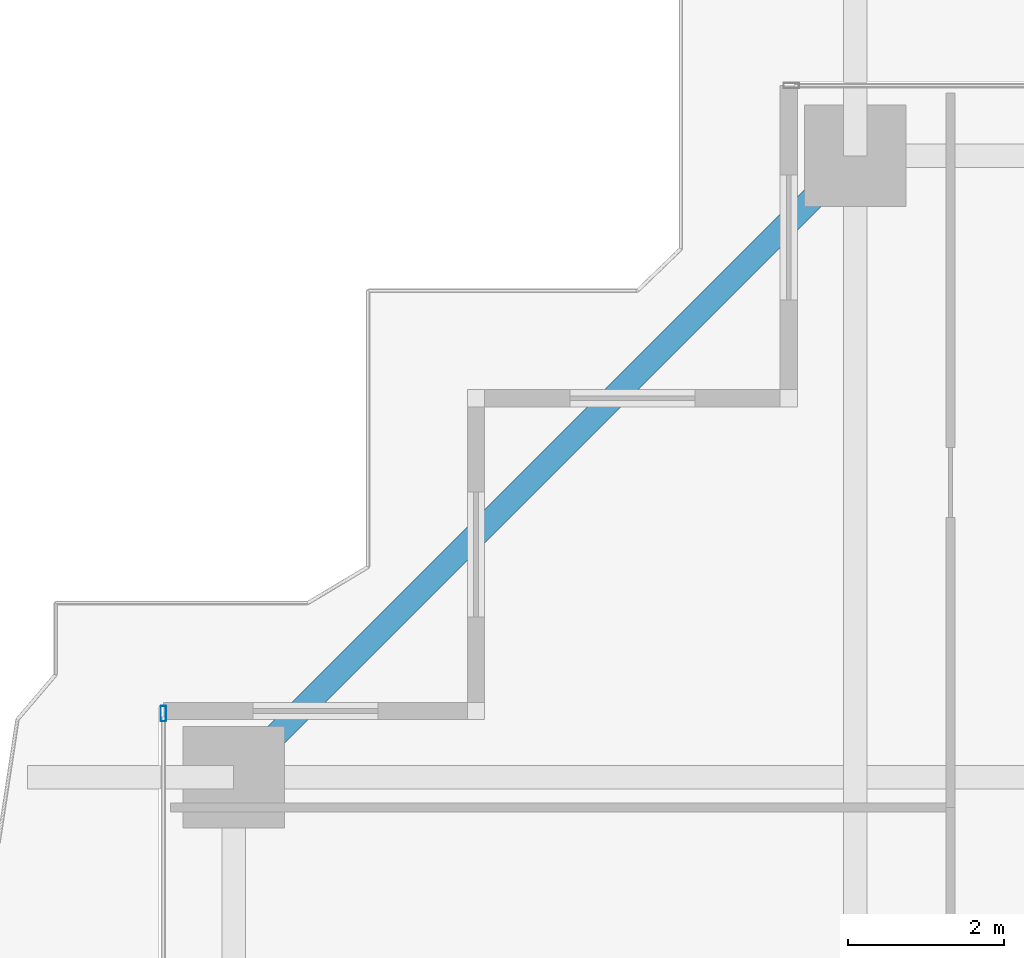
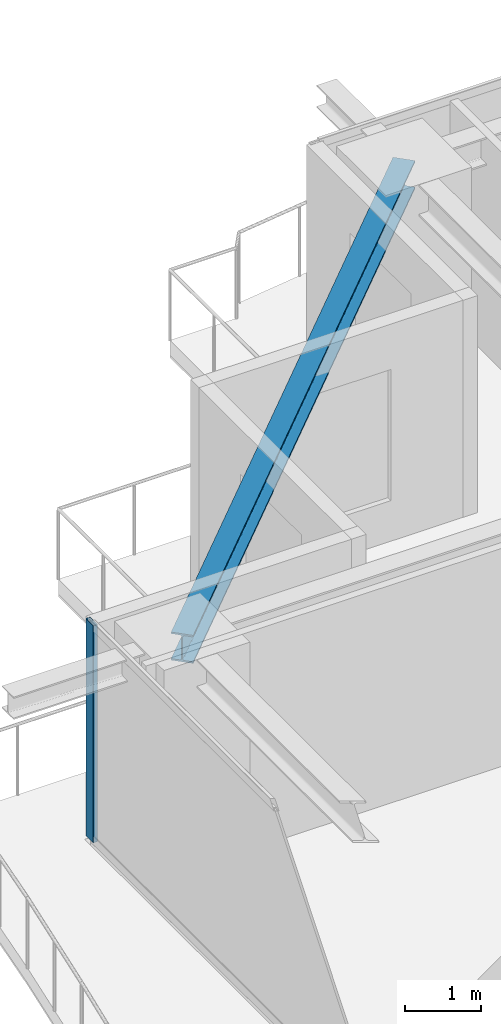
# One storey, part 19 of 38: 1 beam, 1 member, 1 element without a shape of its own.
"""IFC4 building model written with IfcOpenShell, lengths in metres."""

import ifcopenshell
import ifcopenshell.guid

model = None  # the IFC model being written
_history = None  # IfcOwnerHistory: only IFC2X3 demands one
_inside = {}  # id of a spatial element -> (the spatial element, [elements in it])
_under = {}  # id of a project, library or spatial element -> (it, [spatial elements below it])
_declared = {}  # id of a project -> (the project, [libraries it declares])
_typed = {}  # id of a type object -> (the type object, [elements of that type])
_made_of = {}  # id of a material, layer set ... -> (it, [elements and type objects made of it])


def new_model(schema):
    """Start an empty IFC model of exactly this schema.

    Asked for "IFC4X3", IfcOpenShell would pick the latest addendum, in which some entities
    have other attributes; the version numbers below select the first issue.
    IFC2X3 requires an IfcOwnerHistory on every rooted entity: one is made here for all.
    """
    global model, _history
    if schema == "IFC4X3":
        model = ifcopenshell.file(schema_version=(4, 3, 0, 0))
    else:
        model = ifcopenshell.file(schema=schema)
    _inside.clear()
    _under.clear()
    _declared.clear()
    _typed.clear()
    _made_of.clear()
    _history = None
    if model.schema == "IFC2X3":
        org = make("IfcOrganization", Name="unknown")
        user = make(
            "IfcPersonAndOrganization",
            ThePerson=make("IfcPerson", FamilyName="unknown"),
            TheOrganization=org,
        )
        app = make(
            "IfcApplication",
            ApplicationDeveloper=org,
            Version="unknown",
            ApplicationFullName="unknown",
            ApplicationIdentifier="unknown",
        )
        _history = make(
            "IfcOwnerHistory",
            OwningUser=user,
            OwningApplication=app,
            ChangeAction="ADDED",
            CreationDate=0,
        )
    return model


def make(cls, **values):
    """One entity of the class cls with the attributes given. An attribute that is None is left unset."""
    return model.create_entity(
        cls, **{name: value for name, value in values.items() if value is not None}
    )


def rooted(cls, **values):
    """An entity with a GlobalId (a new one), such as an element, a storey or a relation."""
    return make(cls, GlobalId=ifcopenshell.guid.new(), OwnerHistory=_history, **values)


def si_unit(unit_type, name, prefix=None):
    """IfcSIUnit, for example si_unit("LENGTHUNIT", "METRE", prefix="MILLI")."""
    return make("IfcSIUnit", UnitType=unit_type, Prefix=prefix, Name=name)


def assignment(units):
    """IfcUnitAssignment: the units of a project."""
    return None if units is None else make("IfcUnitAssignment", Units=units)


def point(xyz):
    """IfcCartesianPoint."""
    return None if xyz is None else make("IfcCartesianPoint", Coordinates=xyz)


def direction(xyz):
    """IfcDirection."""
    return None if xyz is None else make("IfcDirection", DirectionRatios=xyz)


def frame(location, z_axis=None, x_axis=None):
    """IfcAxis2Placement3D, a coordinate frame: its origin and axes. An axis left out is left unset."""
    return make(
        "IfcAxis2Placement3D",
        Location=point(location),
        Axis=direction(z_axis),
        RefDirection=direction(x_axis),
    )


def frame_2d(location, x_axis=None):
    """IfcAxis2Placement2D, a coordinate frame in the plane: its origin and x axis."""
    return make(
        "IfcAxis2Placement2D", Location=point(location), RefDirection=direction(x_axis)
    )


def origin():
    """The frame at (0, 0, 0) with its axes left unset."""
    return frame((0.0, 0.0, 0.0))


def origin_2d():
    """The frame at (0, 0) in the plane with its x axis left unset."""
    return frame_2d((0.0, 0.0))


def place(relative_to, where):
    """IfcLocalPlacement: puts the frame where relative to a parent placement (None: the world)."""
    return make(
        "IfcLocalPlacement", PlacementRelTo=relative_to, RelativePlacement=where
    )


def context(
    kind, dimensions, precision=None, world=None, true_north=None, identifier=None
):
    """IfcGeometricRepresentationContext, for example the 3D "Model" context."""
    return make(
        "IfcGeometricRepresentationContext",
        ContextIdentifier=identifier,
        ContextType=kind,
        CoordinateSpaceDimension=dimensions,
        Precision=precision,
        WorldCoordinateSystem=world,
        TrueNorth=true_north,
    )


def subcontext(parent, identifier, kind, view, scale=None):
    """IfcGeometricRepresentationSubContext, for example "Body" below "Model"."""
    return make(
        "IfcGeometricRepresentationSubContext",
        ContextIdentifier=identifier,
        ContextType=kind,
        ParentContext=parent,
        TargetScale=scale,
        TargetView=view,
    )


def project(units=None, contexts=None):
    """IfcProject with its units and contexts."""
    return rooted(
        "IfcProject",
        Name="project",
        RepresentationContexts=contexts,
        UnitsInContext=assignment(units),
    )


def spatial(cls, under=None, at=None, **own):
    """A site, building, storey or space (cls), placed at a placement, below another one or the project."""
    s = rooted(cls, ObjectPlacement=at, **own)
    if under is not None:
        _under.setdefault(under.id(), (under, []))[1].append(s)
    return s


def profile(cls, at=None, kind="AREA", **sizes):
    """A parametric profile (cls). Its sizes go by their IFC names, for example OverallWidth=200.0."""
    return make(cls, ProfileType=kind, Position=at, **sizes)


def hollow_rectangle(**sizes):
    """IfcRectangleHollowProfileDef."""
    return profile("IfcRectangleHollowProfileDef", **sizes)


def i_section(**sizes):
    """IfcIShapeProfileDef."""
    return profile("IfcIShapeProfileDef", **sizes)


def extrude(swept, where, along, depth):
    """IfcExtrudedAreaSolid: the profile swept, set in the frame where, extruded along a direction by depth."""
    return make(
        "IfcExtrudedAreaSolid",
        SweptArea=swept,
        Position=where,
        ExtrudedDirection=direction(along),
        Depth=depth,
    )


def shape(context_of_items, identifier, shape_type, items):
    """IfcShapeRepresentation: the items that make up one representation, for example the "Body"."""
    return make(
        "IfcShapeRepresentation",
        ContextOfItems=context_of_items,
        RepresentationIdentifier=identifier,
        RepresentationType=shape_type,
        Items=items,
    )


def source(mapping_origin, context_of_items, identifier, shape_type, items):
    """IfcRepresentationMap: a shape defined once, which mapped items show again and again."""
    return make(
        "IfcRepresentationMap",
        MappingOrigin=mapping_origin,
        MappedRepresentation=shape(context_of_items, identifier, shape_type, items),
    )


def transform(
    local_origin,
    x_axis=None,
    y_axis=None,
    z_axis=None,
    scale=None,
    scale2=None,
    scale3=None,
    uniform=True,
):
    """IfcCartesianTransformationOperator3D, or its non-uniform kind. x_axis, y_axis, z_axis: its Axis1, 2, 3."""
    if uniform:
        return make(
            "IfcCartesianTransformationOperator3D",
            Axis1=direction(x_axis),
            Axis2=direction(y_axis),
            LocalOrigin=point(local_origin),
            Scale=scale,
            Axis3=direction(z_axis),
        )
    return make(
        "IfcCartesianTransformationOperator3DnonUniform",
        Axis1=direction(x_axis),
        Axis2=direction(y_axis),
        LocalOrigin=point(local_origin),
        Scale=scale,
        Axis3=direction(z_axis),
        Scale2=scale2,
        Scale3=scale3,
    )


def mapped(mapping_source, mapping_target):
    """IfcMappedItem: shows the shape of a source again, moved by a transform."""
    return make(
        "IfcMappedItem", MappingSource=mapping_source, MappingTarget=mapping_target
    )


def material(Name=None, Category=None):
    """IfcMaterial."""
    return make("IfcMaterial", Name=Name, Category=Category)


def layer(
    of_material, thickness, ventilated=None, Name=None, Category=None, Priority=None
):
    """IfcMaterialLayer: one layer of a wall or slab, of a material (None: an air gap)."""
    return make(
        "IfcMaterialLayer",
        Material=of_material,
        LayerThickness=thickness,
        IsVentilated=ventilated,
        Name=Name,
        Category=Category,
        Priority=Priority,
    )


def layer_set(layers, Name=None):
    """IfcMaterialLayerSet."""
    return make("IfcMaterialLayerSet", MaterialLayers=layers, LayerSetName=Name)


def material_profile(
    of_material, cross_section, Name=None, Category=None, Priority=None
):
    """IfcMaterialProfile: a cross section and its material."""
    return make(
        "IfcMaterialProfile",
        Name=Name,
        Material=of_material,
        Profile=cross_section,
        Priority=Priority,
        Category=Category,
    )


def profile_set(profiles, Name=None, composite=None):
    """IfcMaterialProfileSet."""
    return make(
        "IfcMaterialProfileSet",
        Name=Name,
        MaterialProfiles=profiles,
        CompositeProfile=composite,
    )


def made_of(thing, what):
    """Note that an element or type object is made of a material, layer set ...; save() writes the relation."""
    if what is not None:
        _made_of.setdefault(what.id(), (what, []))[1].append(thing)
    return thing


def type_object(cls, material=None, **own):
    """A type object (cls), such as IfcWallType, which elements share."""
    return made_of(rooted(cls, **own), material)


def element(
    cls,
    number,
    at=None,
    inside=None,
    cuts=None,
    type_object=None,
    material=None,
    context=None,
    identifier="Body",
    shape_type=None,
    held_by="IfcProductDefinitionShape",
    body=None,
    shapes=None,
    **own,
):
    """One element of the class cls, such as IfcWall. Its Tag is "e" and its number.

    at: its placement. inside: the storey or other place that contains it. cuts: it is an
    opening in that element (IfcRelVoidsElement). A single representation is given by context,
    identifier, shape_type and body (its items); several are given by shapes. held_by: the class
    of the entity that holds the representations. save() writes the other relations.
    """
    e = rooted(cls, Tag="e%d" % number, ObjectPlacement=at, **own)
    if body is not None:
        shapes = [shape(context, identifier, shape_type, body)]
    if shapes is not None:
        e.Representation = make(held_by, Representations=shapes)
    if inside is not None:
        _inside.setdefault(inside.id(), (inside, []))[1].append(e)
    if cuts is not None:
        rooted(
            "IfcRelVoidsElement", RelatingBuildingElement=cuts, RelatedOpeningElement=e
        )
    if type_object is not None:
        _typed.setdefault(type_object.id(), (type_object, []))[1].append(e)
    return made_of(e, material)


def aggregate(whole, parts):
    """IfcRelAggregates: a whole, such as a stair, and the parts it consists of."""
    return rooted("IfcRelAggregates", RelatingObject=whole, RelatedObjects=parts)


def save(model, path):
    """Write the relations noted so far, then the file.

    IfcRelAggregates (storeys below a building ...), IfcRelContainedInSpatialStructure (elements
    in a storey), IfcRelDefinesByType, IfcRelAssociatesMaterial and IfcRelDeclares: one each for
    every whole, place, type object, material and project.
    """
    for whole, parts in _under.values():
        aggregate(whole, parts)
    for where, things in _inside.values():
        rooted(
            "IfcRelContainedInSpatialStructure",
            RelatedElements=things,
            RelatingStructure=where,
        )
    for kind, things in _typed.values():
        rooted("IfcRelDefinesByType", RelatedObjects=things, RelatingType=kind)
    for what, things in _made_of.values():
        rooted("IfcRelAssociatesMaterial", RelatedObjects=things, RelatingMaterial=what)
    for by, libraries in _declared.values():
        rooted("IfcRelDeclares", RelatingContext=by, RelatedDefinitions=libraries)
    model.write(path)


model = new_model("IFC4")

# Units and contexts
model_context = context("Model", 3, precision=1e-05, world=origin(), true_north=direction((0.0, 1.0)))
body_context = subcontext(model_context, "Body", "Model", "MODEL_VIEW")
ifc_project = project(units=[si_unit("LENGTHUNIT", "METRE"), si_unit("AREAUNIT", "SQUARE_METRE"), si_unit("VOLUMEUNIT", "CUBIC_METRE"), si_unit("PLANEANGLEUNIT", "RADIAN"), si_unit("MASSUNIT", "GRAM", prefix="KILO")], contexts=[model_context])

# Site, building, storey
site_placement = place(None, origin())
site = spatial("IfcSite", under=ifc_project, at=site_placement, CompositionType="ELEMENT")
building_placement = place(site_placement, origin())
building = spatial("IfcBuilding", under=site, at=building_placement, Name="Serunith Strait Residences", CompositionType="ELEMENT")
storey_placement = place(building_placement, frame((0.0, 0.0, 183.89990234375)))
storey = spatial("IfcBuildingStorey", under=building, at=storey_placement, Name="L46", CompositionType="ELEMENT", Elevation=183.89990234375)

# Beam
ifc_material_1 = material(Name="Steel S355J2", Category="steel")
ifc_material_profile_1 = material_profile(ifc_material_1, i_section(OverallWidth=0.300048828125, OverallDepth=0.449951171875, WebThickness=0.013916015625, FlangeThickness=0.02587890625, FilletRadius=0.027099609375, at=origin_2d()), Name="HEB 450")
ifc_profile_set_1 = profile_set([ifc_material_profile_1], Name="Steel S355J2")
beam_type = type_object("IfcBeamType", Name="BM-HEB450", PredefinedType="BEAM", material=ifc_profile_set_1)
shared_shape_1 = source(origin(), body_context, "Body", "SweptSolid", [
    extrude(i_section(OverallWidth=0.300048828125, OverallDepth=0.449951171875, WebThickness=0.013916015625, FlangeThickness=0.02587890625, FilletRadius=0.027099609375, at=origin_2d()), origin(), (0.0, 0.0, 1.0), 11.2431640625),
])
beam_placement = place(storey_placement, frame((16.64990234375, 48.10009765625, 3.232177734375), z_axis=(-0.707095923751, -0.707117638455, 0.0), x_axis=(0.707117638455, -0.707095923751, 0.0)))
element("IfcBeam", 1, at=beam_placement, inside=storey, type_object=beam_type, Name="L46 Perimeter Ring Beam 12", PredefinedType="BEAM", context=body_context, shape_type="MappedRepresentation", body=[
    mapped(shared_shape_1, transform((0.0, 0.0, 0.0), scale=1.0)),
])

# Curtain wall, member
ifc_material_2 = material(Name="Pale-Champagne Anodised Aluminium", Category="aluminium")
ifc_layer = layer(ifc_material_2, 0.199951171875, Name="Pale-Champagne Anodised Aluminium")
ifc_layer_set = layer_set([ifc_layer], Name="Pale-Champagne Anodised Aluminium")
curtain_wall_type = type_object("IfcCurtainWallType", Name="CW-SYS2", PredefinedType="NOTDEFINED", material=ifc_layer_set)
curtain_wall_placement = place(storey_placement, origin())
curtain_wall = element("IfcCurtainWall", 2, at=curtain_wall_placement, inside=storey, type_object=curtain_wall_type, Name="L46 W Unitised Fritted Curtain Wall", PredefinedType="NOTDEFINED")
ifc_material_profile_2 = material_profile(ifc_material_2, hollow_rectangle(XDim=0.070068359375, YDim=0.199951171875, WallThickness=0.00390625, InnerFilletRadius=0.006103515625, OuterFilletRadius=0.010009765625, at=origin_2d()), Name="ALU 200x70x4")
ifc_profile_set_2 = profile_set([ifc_material_profile_2], Name="Pale-Champagne Anodised Aluminium")
member_type = type_object("IfcMemberType", Name="CW-SYS2-MULL", PredefinedType="MULLION", material=ifc_profile_set_2)
shared_shape_2 = source(origin(), body_context, "Body", "SweptSolid", [
    extrude(hollow_rectangle(XDim=0.070068359375, YDim=0.199951171875, WallThickness=0.00390625, InnerFilletRadius=0.006103515625, OuterFilletRadius=0.010009765625, at=origin_2d()), origin(), (0.0, 0.0, 1.0), 3.47509765625),
])
member_placement = place(storey_placement, frame((7.800048828125, 40.965087890625, 0.0), z_axis=(0.0, 0.0, 1.0), x_axis=(1.0, 0.0, 0.0)))
member = element("IfcMember", 3, at=member_placement, type_object=member_type, Name="CW-2 mullion 1", PredefinedType="MULLION", context=body_context, shape_type="MappedRepresentation", body=[
    mapped(shared_shape_2, transform((0.0, 0.0, 0.0), scale=1.0)),
])
aggregate(curtain_wall, [member])

save(model, "model.ifc")
